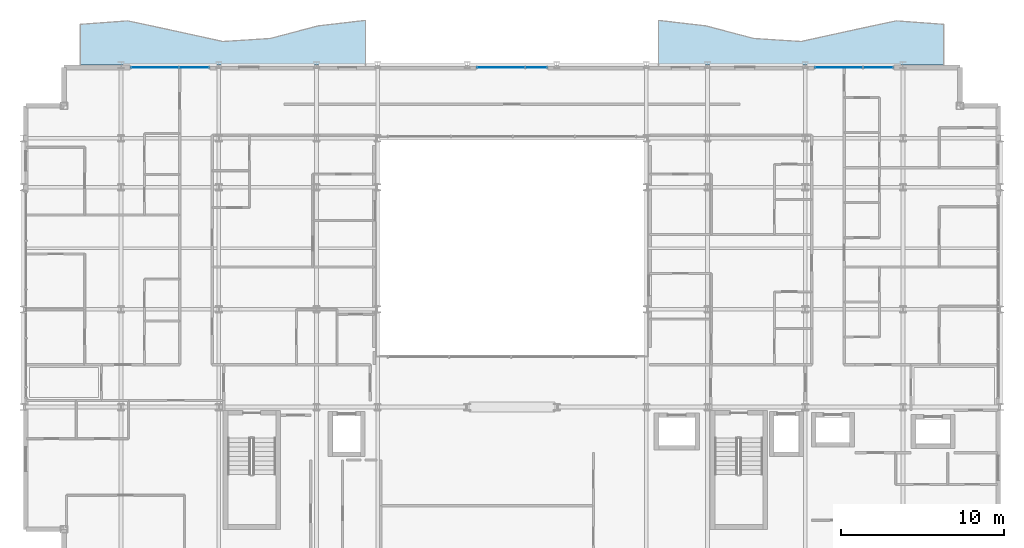
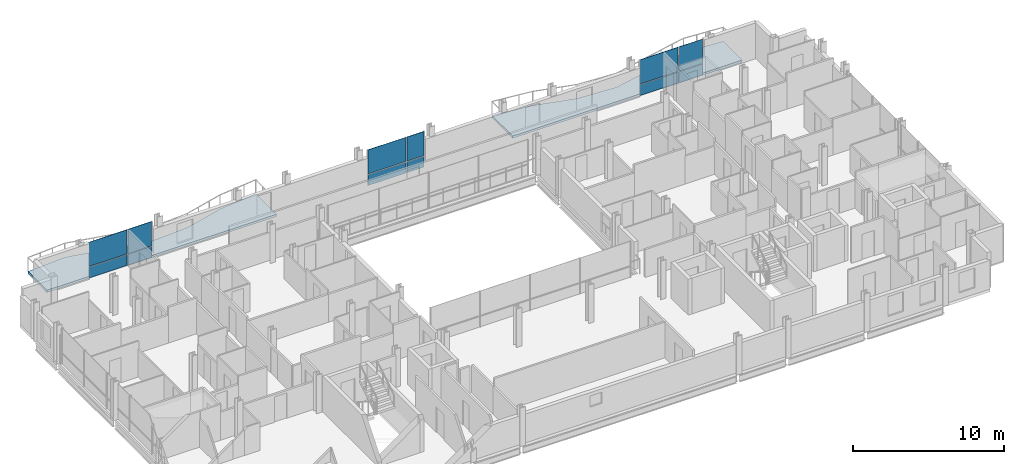
# One storey, part 29 of 40: 12 plates, 2 slabs, 3 elements without a shape of their own.
"""IFC4 building model written with IfcOpenShell, lengths in metres."""

from ifc_helpers import new_model, si_unit, direction, frame, origin, origin_2d, place, context, subcontext, project, spatial, polyline, rectangle, outline, extrude, material, layer, layer_set, type_object, element, aggregate, save


model = new_model("IFC4")

# Units and contexts
model_context = context("Model", 3, precision=1e-05, world=origin(), true_north=direction((0.0, 1.0)))
body_context = subcontext(model_context, "Body", "Model", "MODEL_VIEW")
ifc_project = project(units=[si_unit("LENGTHUNIT", "METRE"), si_unit("AREAUNIT", "SQUARE_METRE"), si_unit("VOLUMEUNIT", "CUBIC_METRE"), si_unit("PLANEANGLEUNIT", "RADIAN"), si_unit("MASSUNIT", "GRAM", prefix="KILO")], contexts=[model_context])

# Site, building, storey
site_placement = place(None, origin())
site = spatial("IfcSite", under=ifc_project, at=site_placement, CompositionType="ELEMENT")
building_placement = place(site_placement, origin())
building = spatial("IfcBuilding", under=site, at=building_placement, Name="Brevholm Reach", CompositionType="ELEMENT")
storey_placement = place(building_placement, frame((0.0, 0.0, 125.199951171875)))
storey = spatial("IfcBuildingStorey", under=building, at=storey_placement, Name="L37", CompositionType="ELEMENT", Elevation=125.199951171875)

# Curtain wall, plates
ifc_material_1 = material(Name="Dark Anodised Aluminium 6063-T6 and Solar-Control Glass", Category="aluminium")
ifc_layer_1 = layer(ifc_material_1, 0.14990234375)
ifc_layer_set_1 = layer_set([ifc_layer_1], Name="Dark Anodised Aluminium 6063-T6 and Solar-Control Glass")
curtain_wall_type = type_object("IfcCurtainWallType", Name="CW-01", PredefinedType="NOTDEFINED", material=ifc_layer_set_1)
curtain_wall_1_placement = place(storey_placement, origin())
curtain_wall_1 = element("IfcCurtainWall", 1, at=curtain_wall_1_placement, inside=storey, type_object=curtain_wall_type, Name="L37 Curtain Wall CW-01", PredefinedType="NOTDEFINED")
ifc_material_2 = material(Name="Dark Solar-Control Double-Glazed IGU Glass", Category="glass")
ifc_layer_2 = layer(ifc_material_2, 0.028076171875)
ifc_layer_set_2 = layer_set([ifc_layer_2], Name="Dark Solar-Control Double-Glazed IGU Glass")
plate_type = type_object("IfcPlateType", Name="CWP-GLZ-28", PredefinedType="CURTAIN_PANEL", material=ifc_layer_set_2)
plate_1_placement = place(storey_placement, frame((8.066162109375, 30.85009765625, 0.0), z_axis=(0.0, 0.0, 1.0), x_axis=(1.0, 0.0, 0.0)))
plate_1 = element("IfcPlate", 2, at=plate_1_placement, type_object=plate_type, Name="CP-01 Glazing Panel 1.1", PredefinedType="CURTAIN_PANEL", context=body_context, shape_type="SweptSolid", body=[
    extrude(rectangle(XDim=2.902587890625, YDim=0.028076171875, at=origin_2d()), origin(), (0.0, 0.0, 1.0), 0.867431640625),
])
plate_2_placement = place(storey_placement, frame((8.066162109375, 30.85009765625, 0.9326171875), z_axis=(0.0, 0.0, 1.0), x_axis=(1.0, 0.0, 0.0)))
plate_2 = element("IfcPlate", 3, at=plate_2_placement, type_object=plate_type, Name="CP-01 Glazing Panel 1.2", PredefinedType="CURTAIN_PANEL", context=body_context, shape_type="SweptSolid", body=[
    extrude(rectangle(XDim=2.902587890625, YDim=0.028076171875, at=origin_2d()), origin(), (0.0, 0.0, 1.0), 1.947509765625),
])
plate_3_placement = place(storey_placement, frame((10.483642578125, 30.85009765625, 0.0), z_axis=(0.0, 0.0, 1.0), x_axis=(1.0, 0.0, 0.0)))
plate_3 = element("IfcPlate", 4, at=plate_3_placement, type_object=plate_type, Name="CP-01 Glazing Panel 2.1", PredefinedType="CURTAIN_PANEL", context=body_context, shape_type="SweptSolid", body=[
    extrude(rectangle(XDim=1.802490234375, YDim=0.028076171875, at=origin_2d()), origin(), (0.0, 0.0, 1.0), 0.867431640625),
])
plate_4_placement = place(storey_placement, frame((10.483642578125, 30.85009765625, 0.9326171875), z_axis=(0.0, 0.0, 1.0), x_axis=(1.0, 0.0, 0.0)))
plate_4 = element("IfcPlate", 5, at=plate_4_placement, type_object=plate_type, Name="CP-01 Glazing Panel 2.2", PredefinedType="CURTAIN_PANEL", context=body_context, shape_type="SweptSolid", body=[
    extrude(rectangle(XDim=1.802490234375, YDim=0.028076171875, at=origin_2d()), origin(), (0.0, 0.0, 1.0), 1.947509765625),
])
aggregate(curtain_wall_1, [plate_1, plate_2, plate_3, plate_4])

curtain_wall_2_placement = place(storey_placement, origin())
curtain_wall_2 = element("IfcCurtainWall", 6, at=curtain_wall_2_placement, inside=storey, type_object=curtain_wall_type, Name="L37 Curtain Wall CW-01", PredefinedType="NOTDEFINED")
plate_5_placement = place(storey_placement, frame((29.316162109375, 30.85009765625, 0.0), z_axis=(0.0, 0.0, 1.0), x_axis=(1.0, 0.0, 0.0)))
plate_5 = element("IfcPlate", 7, at=plate_5_placement, type_object=plate_type, Name="CP-01 Glazing Panel 1.1", PredefinedType="CURTAIN_PANEL", context=body_context, shape_type="SweptSolid", body=[
    extrude(rectangle(XDim=2.902587890625, YDim=0.028076171875, at=origin_2d()), origin(), (0.0, 0.0, 1.0), 0.867431640625),
])
plate_6_placement = place(storey_placement, frame((29.316162109375, 30.85009765625, 0.9326171875), z_axis=(0.0, 0.0, 1.0), x_axis=(1.0, 0.0, 0.0)))
plate_6 = element("IfcPlate", 8, at=plate_6_placement, type_object=plate_type, Name="CP-01 Glazing Panel 1.2", PredefinedType="CURTAIN_PANEL", context=body_context, shape_type="SweptSolid", body=[
    extrude(rectangle(XDim=2.902587890625, YDim=0.028076171875, at=origin_2d()), origin(), (0.0, 0.0, 1.0), 1.947509765625),
])
plate_7_placement = place(storey_placement, frame((31.483642578125, 30.85009765625, 0.0), z_axis=(0.0, 0.0, 1.0), x_axis=(1.0, 0.0, 0.0)))
plate_7 = element("IfcPlate", 9, at=plate_7_placement, type_object=plate_type, Name="CP-01 Glazing Panel 2.1", PredefinedType="CURTAIN_PANEL", context=body_context, shape_type="SweptSolid", body=[
    extrude(rectangle(XDim=1.302490234375, YDim=0.028076171875, at=origin_2d()), origin(), (0.0, 0.0, 1.0), 0.867431640625),
])
plate_8_placement = place(storey_placement, frame((31.483642578125, 30.85009765625, 0.9326171875), z_axis=(0.0, 0.0, 1.0), x_axis=(1.0, 0.0, 0.0)))
plate_8 = element("IfcPlate", 10, at=plate_8_placement, type_object=plate_type, Name="CP-01 Glazing Panel 2.2", PredefinedType="CURTAIN_PANEL", context=body_context, shape_type="SweptSolid", body=[
    extrude(rectangle(XDim=1.302490234375, YDim=0.028076171875, at=origin_2d()), origin(), (0.0, 0.0, 1.0), 1.947509765625),
])
aggregate(curtain_wall_2, [plate_5, plate_6, plate_7, plate_8])

curtain_wall_3_placement = place(storey_placement, origin())
curtain_wall_3 = element("IfcCurtainWall", 11, at=curtain_wall_3_placement, inside=storey, type_object=curtain_wall_type, Name="L37 Curtain Wall CW-01", PredefinedType="NOTDEFINED")
plate_9_placement = place(storey_placement, frame((50.066162109375, 30.85009765625, 0.0), z_axis=(0.0, 0.0, 1.0), x_axis=(1.0, 0.0, 0.0)))
plate_9 = element("IfcPlate", 12, at=plate_9_placement, type_object=plate_type, Name="CP-01 Glazing Panel 1.1", PredefinedType="CURTAIN_PANEL", context=body_context, shape_type="SweptSolid", body=[
    extrude(rectangle(XDim=2.902587890625, YDim=0.028076171875, at=origin_2d()), origin(), (0.0, 0.0, 1.0), 0.867431640625),
])
plate_10_placement = place(storey_placement, frame((50.066162109375, 30.85009765625, 0.9326171875), z_axis=(0.0, 0.0, 1.0), x_axis=(1.0, 0.0, 0.0)))
plate_10 = element("IfcPlate", 13, at=plate_10_placement, type_object=plate_type, Name="CP-01 Glazing Panel 1.2", PredefinedType="CURTAIN_PANEL", context=body_context, shape_type="SweptSolid", body=[
    extrude(rectangle(XDim=2.902587890625, YDim=0.028076171875, at=origin_2d()), origin(), (0.0, 0.0, 1.0), 1.947509765625),
])
plate_11_placement = place(storey_placement, frame((52.483642578125, 30.85009765625, 0.0), z_axis=(0.0, 0.0, 1.0), x_axis=(1.0, 0.0, 0.0)))
plate_11 = element("IfcPlate", 14, at=plate_11_placement, type_object=plate_type, Name="CP-01 Glazing Panel 2.1", PredefinedType="CURTAIN_PANEL", context=body_context, shape_type="SweptSolid", body=[
    extrude(rectangle(XDim=1.802490234375, YDim=0.028076171875, at=origin_2d()), origin(), (0.0, 0.0, 1.0), 0.867431640625),
])
plate_12_placement = place(storey_placement, frame((52.483642578125, 30.85009765625, 0.9326171875), z_axis=(0.0, 0.0, 1.0), x_axis=(1.0, 0.0, 0.0)))
plate_12 = element("IfcPlate", 15, at=plate_12_placement, type_object=plate_type, Name="CP-01 Glazing Panel 2.2", PredefinedType="CURTAIN_PANEL", context=body_context, shape_type="SweptSolid", body=[
    extrude(rectangle(XDim=1.802490234375, YDim=0.028076171875, at=origin_2d()), origin(), (0.0, 0.0, 1.0), 1.947509765625),
])
aggregate(curtain_wall_3, [plate_9, plate_10, plate_11, plate_12])

# Slabs
ifc_material_3 = material(Name="Precast Concrete C40/50", Category="concrete")
ifc_layer_3 = layer(ifc_material_3, 0.179931640625)
ifc_layer_set_3 = layer_set([ifc_layer_3], Name="Precast Concrete C40/50")
slab_type = type_object("IfcSlabType", Name="SLB-BAL-180", PredefinedType="FLOOR", material=ifc_layer_set_3)
slab_1_placement = place(storey_placement, frame((0.0, 0.0, -0.179931640625)))
element("IfcSlab", 16, at=slab_1_placement, inside=storey, type_object=slab_type, Name="L37 Rippling External Balcony NE", PredefinedType="FLOOR", context=body_context, shape_type="SweptSolid", body=[
    extrude(outline(polyline([(39.0, 31.0), (56.5, 31.0), (56.5, 33.499755859375), (53.583251953125, 33.713134765625), (50.666748046875, 33.0869140625), (47.75, 32.44482421875), (44.833251953125, 32.632080078125), (41.916748046875, 33.402099609375), (39.0, 33.74169921875), (39.0, 31.0)])), origin(), (0.0, 0.0, 1.0), 0.179931640625),
])
slab_2_placement = place(storey_placement, frame((0.0, 0.0, -0.179931640625)))
element("IfcSlab", 17, at=slab_2_placement, inside=storey, type_object=slab_type, Name="L37 Rippling External Balcony NW", PredefinedType="FLOOR", context=body_context, shape_type="SweptSolid", body=[
    extrude(outline(polyline([(3.5, 31.0), (21.0, 31.0), (21.0, 33.74169921875), (18.083251953125, 33.402099609375), (15.166748046875, 32.632080078125), (12.25, 32.44482421875), (9.333251953125, 33.0869140625), (6.416748046875, 33.713134765625), (3.5, 33.499755859375), (3.5, 31.0)])), origin(), (0.0, 0.0, 1.0), 0.179931640625),
])

save(model, "model.ifc")
